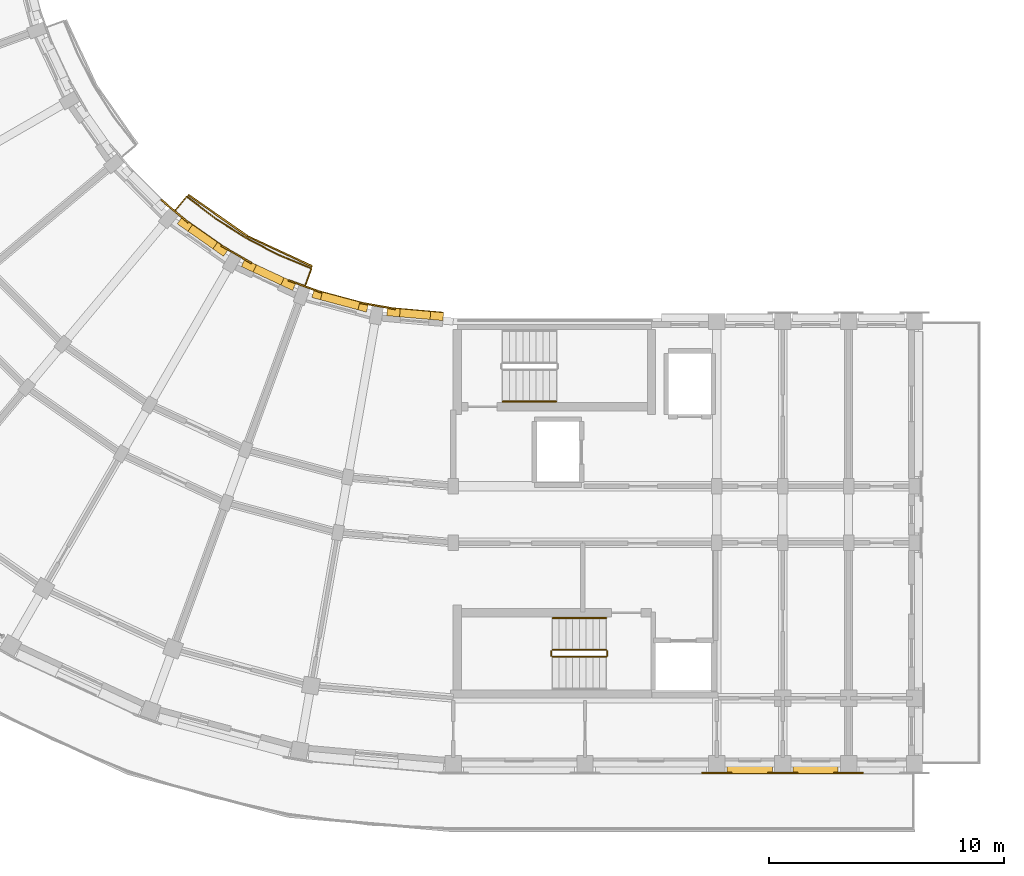
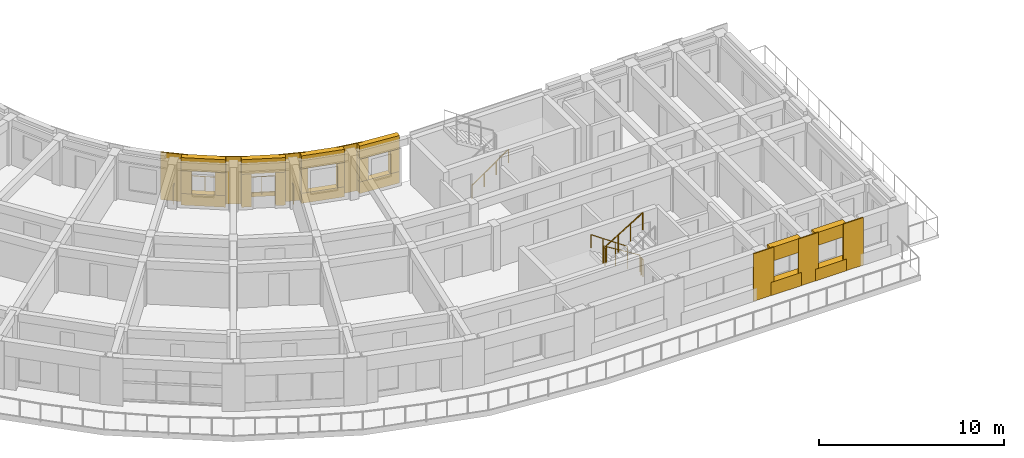
# One storey, part 39 of 54: 27 coverings, 7 railings.
"""IFC4 building model written with IfcOpenShell, lengths in metres."""

from ifc_helpers import new_model, si_unit, direction, frame, origin, origin_2d, place, context, subcontext, project, spatial, polyline, circle, outline, extrude, material, layer, layer_set, type_object, element, save


model = new_model("IFC4")

# Units and contexts
model_context = context("Model", 3, precision=1e-05, world=origin(), true_north=direction((0.0, 1.0)))
body_context = subcontext(model_context, "Body", "Model", "MODEL_VIEW")
ifc_project = project(units=[si_unit("LENGTHUNIT", "METRE"), si_unit("AREAUNIT", "SQUARE_METRE"), si_unit("VOLUMEUNIT", "CUBIC_METRE"), si_unit("PLANEANGLEUNIT", "RADIAN"), si_unit("MASSUNIT", "GRAM", prefix="KILO")], contexts=[model_context])

# Site, building, storey
site_placement = place(None, origin())
site = spatial("IfcSite", under=ifc_project, at=site_placement, CompositionType="ELEMENT")
building_placement = place(site_placement, origin())
building = spatial("IfcBuilding", under=site, at=building_placement, Name="Kiranvali Square Residences", CompositionType="ELEMENT")
storey_placement = place(building_placement, frame((0.0, 0.0, 27.60009765625)))
storey = spatial("IfcBuildingStorey", under=building, at=storey_placement, Name="L08", CompositionType="ELEMENT", Elevation=27.60009765625)

# Coverings
ifc_material_1 = material(Name="Carved Porbandar limestone classical entablature and cornice", Category="masonry")
ifc_layer_1 = layer(ifc_material_1, 0.06201171875)
ifc_layer_set_1 = layer_set([ifc_layer_1], Name="Carved Porbandar limestone classical entablature and cornice")
covering_type_1 = type_object("IfcCoveringType", Name="COV-CLAD-GBAL", PredefinedType="CLADDING", material=ifc_layer_set_1)
covering_1_placement = place(storey_placement, frame((0.0, 0.0, -0.22021484375)))
element("IfcCovering", 1, at=covering_1_placement, inside=storey, type_object=covering_type_1, Name="Block C L08 garden balcony limestone fascia 1", PredefinedType="CLADDING", context=body_context, shape_type="SweptSolid", body=[
    extrude(outline(polyline([(42.221435546875, 31.774169921875), (39.4599609375, 33.061767578125), (36.964111328125, 34.8095703125), (36.92041015625, 34.757568359375), (39.426025390625, 33.0029296875), (42.1982421875, 31.710205078125), (42.221435546875, 31.774169921875)])), origin(), (0.0, 0.0, 1.0), 0.27001953125),
])
ifc_material_2 = material(Name="Honed Porbandar limestone ashlar facade cladding", Category="masonry")
ifc_layer_2 = layer(ifc_material_2, 0.3798828125)
ifc_layer_set_2 = layer_set([ifc_layer_2], Name="Honed Porbandar limestone ashlar facade cladding")
covering_type_2 = type_object("IfcCoveringType", Name="COV-CLAD-JAMB", PredefinedType="CLADDING", material=ifc_layer_set_2)
covering_2_placement = place(storey_placement, frame((0.0, 0.0, 0.77197265625)))
element("IfcCovering", 2, at=covering_2_placement, inside=storey, type_object=covering_type_2, Name="L08 deep limestone window jamb reveal C-L08-GDN-00.L", PredefinedType="CLADDING", context=body_context, shape_type="SweptSolid", body=[
    extrude(outline(polyline([(47.791259765625, 29.777099609375), (47.244873046875, 29.824951171875), (47.21533203125, 29.486572265625), (47.76171875, 29.43896484375), (47.791259765625, 29.777099609375)])), origin(), (0.0, 0.0, 1.0), 1.5),
])
covering_3_placement = place(storey_placement, frame((0.0, 0.0, 0.77197265625)))
element("IfcCovering", 3, at=covering_3_placement, inside=storey, type_object=covering_type_2, Name="L08 deep limestone window jamb reveal C-L08-GDN-00.R", PredefinedType="CLADDING", context=body_context, shape_type="SweptSolid", body=[
    extrude(outline(polyline([(45.94970703125, 29.938232421875), (45.4033203125, 29.986083984375), (45.373779296875, 29.647705078125), (45.920166015625, 29.599853515625), (45.94970703125, 29.938232421875)])), origin(), (0.0, 0.0, 1.0), 1.5),
])
covering_4_placement = place(storey_placement, frame((0.0, 0.0, 0.671875)))
element("IfcCovering", 4, at=covering_4_placement, inside=storey, type_object=covering_type_2, Name="L08 deep limestone window jamb reveal C-L08-GDN-01.L", PredefinedType="CLADDING", context=body_context, shape_type="SweptSolid", body=[
    extrude(outline(polyline([(44.598388671875, 30.1279296875), (44.237548828125, 30.224609375), (44.149658203125, 29.896728515625), (44.510498046875, 29.800048828125), (44.598388671875, 30.1279296875)])), origin(), (0.0, 0.0, 1.0), 1.60009765625),
])
covering_5_placement = place(storey_placement, frame((0.0, 0.0, 0.671875)))
element("IfcCovering", 5, at=covering_5_placement, inside=storey, type_object=covering_type_2, Name="L08 deep limestone window jamb reveal C-L08-GDN-01.R", PredefinedType="CLADDING", context=body_context, shape_type="SweptSolid", body=[
    extrude(outline(polyline([(42.643798828125, 30.651611328125), (42.282958984375, 30.748291015625), (42.195068359375, 30.42041015625), (42.555908203125, 30.32373046875), (42.643798828125, 30.651611328125)])), origin(), (0.0, 0.0, 1.0), 1.60009765625),
])
covering_6_placement = place(storey_placement, origin())
element("IfcCovering", 6, at=covering_6_placement, inside=storey, type_object=covering_type_2, Name="L08 deep limestone window jamb reveal C-L08-GDN-02.L", PredefinedType="CLADDING", context=body_context, shape_type="SweptSolid", body=[
    extrude(outline(polyline([(41.514892578125, 31.02783203125), (41.017822265625, 31.259765625), (40.874267578125, 30.951904296875), (41.37158203125, 30.72021484375), (41.514892578125, 31.02783203125)])), origin(), (0.0, 0.0, 1.0), 2.179931640625),
])
covering_7_placement = place(storey_placement, origin())
element("IfcCovering", 7, at=covering_7_placement, inside=storey, type_object=covering_type_2, Name="L08 deep limestone window jamb reveal C-L08-GDN-02.R", PredefinedType="CLADDING", context=body_context, shape_type="SweptSolid", body=[
    extrude(outline(polyline([(39.839599609375, 31.80908203125), (39.342529296875, 32.041015625), (39.198974609375, 31.733154296875), (39.696044921875, 31.50146484375), (39.839599609375, 31.80908203125)])), origin(), (0.0, 0.0, 1.0), 2.179931640625),
])
covering_8_placement = place(storey_placement, frame((0.0, 0.0, 0.77197265625)))
element("IfcCovering", 8, at=covering_8_placement, inside=storey, type_object=covering_type_2, Name="L08 deep limestone window jamb reveal C-L08-GDN-03.L", PredefinedType="CLADDING", context=body_context, shape_type="SweptSolid", body=[
    extrude(outline(polyline([(38.634521484375, 32.44970703125), (38.185302734375, 32.76416015625), (37.990478515625, 32.486083984375), (38.43994140625, 32.171630859375), (38.634521484375, 32.44970703125)])), origin(), (0.0, 0.0, 1.0), 1.5),
])
covering_9_placement = place(storey_placement, frame((0.0, 0.0, 0.77197265625)))
element("IfcCovering", 9, at=covering_9_placement, inside=storey, type_object=covering_type_2, Name="L08 deep limestone window jamb reveal C-L08-GDN-03.R", PredefinedType="CLADDING", context=body_context, shape_type="SweptSolid", body=[
    extrude(outline(polyline([(37.120361328125, 33.509765625), (36.671142578125, 33.824462890625), (36.476318359375, 33.54638671875), (36.925537109375, 33.231689453125), (37.120361328125, 33.509765625)])), origin(), (0.0, 0.0, 1.0), 1.5),
])
ifc_layer_3 = layer(ifc_material_2, 0.050048828125)
ifc_layer_set_3 = layer_set([ifc_layer_3], Name="Honed Porbandar limestone ashlar facade cladding")
covering_type_3 = type_object("IfcCoveringType", Name="COV-CLAD-PIER-IN", PredefinedType="CLADDING", material=ifc_layer_set_3)
covering_10_placement = place(storey_placement, frame((0.0, 0.0, 0.0048828125)))
element("IfcCovering", 10, at=covering_10_placement, inside=storey, type_object=covering_type_3, Name="L08 Classical garden courtyard pilaster CLAD-PRIN-C-L08-A01", PredefinedType="CLADDING", context=body_context, shape_type="SweptSolid", body=[
    extrude(outline(polyline([(45.74658203125, 29.967041015625), (44.269287109375, 30.2275390625), (44.257568359375, 30.1611328125), (45.73486328125, 29.900634765625), (45.74658203125, 29.967041015625)])), origin(), (0.0, 0.0, 1.0), 3.14013671875),
])
covering_11_placement = place(storey_placement, frame((0.0, 0.0, 0.0048828125)))
element("IfcCovering", 11, at=covering_11_placement, inside=storey, type_object=covering_type_3, Name="L08 Classical garden courtyard pilaster CLAD-PRIN-C-L08-A02", PredefinedType="CLADDING", context=body_context, shape_type="SweptSolid", body=[
    extrude(outline(polyline([(42.61767578125, 30.670166015625), (41.208251953125, 31.18310546875), (41.18505859375, 31.11962890625), (42.5947265625, 30.606689453125), (42.61767578125, 30.670166015625)])), origin(), (0.0, 0.0, 1.0), 3.14013671875),
])
covering_12_placement = place(storey_placement, frame((0.0, 0.0, 0.0048828125)))
element("IfcCovering", 12, at=covering_12_placement, inside=storey, type_object=covering_type_3, Name="L08 Classical garden courtyard pilaster CLAD-PRIN-C-L08-A03", PredefinedType="CLADDING", context=body_context, shape_type="SweptSolid", body=[
    extrude(outline(polyline([(39.658447265625, 31.90576171875), (38.359375, 32.65576171875), (38.32568359375, 32.59716796875), (39.624755859375, 31.84716796875), (39.658447265625, 31.90576171875)])), origin(), (0.0, 0.0, 1.0), 3.14013671875),
])
covering_13_placement = place(storey_placement, frame((0.0, 0.0, 0.0048828125)))
element("IfcCovering", 13, at=covering_13_placement, inside=storey, type_object=covering_type_3, Name="L08 Classical garden courtyard pilaster CLAD-PRIN-C-L08-A04", PredefinedType="CLADDING", context=body_context, shape_type="SweptSolid", body=[
    extrude(outline(polyline([(36.958740234375, 33.636474609375), (35.809814453125, 34.6005859375), (35.766357421875, 34.548828125), (36.91552734375, 33.584716796875), (36.958740234375, 33.636474609375)])), origin(), (0.0, 0.0, 1.0), 3.14013671875),
])
ifc_layer_4 = layer(ifc_material_2, 0.054931640625)
ifc_layer_set_4 = layer_set([ifc_layer_4], Name="Honed Porbandar limestone ashlar facade cladding")
covering_type_4 = type_object("IfcCoveringType", Name="COV-CLAD-PIER-UP", PredefinedType="CLADDING", material=ifc_layer_set_4)
covering_14_placement = place(storey_placement, frame((0.0, 0.0, 0.0048828125)))
element("IfcCovering", 14, at=covering_14_placement, inside=storey, type_object=covering_type_4, Name="L08 Classical limestone pilaster casing CLAD-PR-C-L08-U112", PredefinedType="CLADDING", context=body_context, shape_type="SweptSolid", body=[
    extrude(outline(polyline([(58.77001953125, 10.181884765625), (60.030029296875, 10.181884765625), (60.030029296875, 10.24951171875), (58.77001953125, 10.24951171875), (58.77001953125, 10.181884765625)])), origin(), (0.0, 0.0, 1.0), 3.14013671875),
])
covering_15_placement = place(storey_placement, frame((0.0, 0.0, 0.0048828125)))
element("IfcCovering", 15, at=covering_15_placement, inside=storey, type_object=covering_type_4, Name="L08 Classical limestone pilaster casing CLAD-PR-C-L08-U140", PredefinedType="CLADDING", context=body_context, shape_type="SweptSolid", body=[
    extrude(outline(polyline([(61.570068359375, 10.181884765625), (62.830078125, 10.181884765625), (62.830078125, 10.24951171875), (61.570068359375, 10.24951171875), (61.570068359375, 10.181884765625)])), origin(), (0.0, 0.0, 1.0), 3.14013671875),
])
covering_16_placement = place(storey_placement, frame((0.0, 0.0, 0.0048828125)))
element("IfcCovering", 16, at=covering_16_placement, inside=storey, type_object=covering_type_4, Name="L08 Classical limestone pilaster casing CLAD-PR-C-L08-U167", PredefinedType="CLADDING", context=body_context, shape_type="SweptSolid", body=[
    extrude(outline(polyline([(64.3701171875, 10.181884765625), (65.6298828125, 10.181884765625), (65.6298828125, 10.24951171875), (64.3701171875, 10.24951171875), (64.3701171875, 10.181884765625)])), origin(), (0.0, 0.0, 1.0), 3.14013671875),
])
ifc_layer_5 = layer(ifc_material_2, 0.360107421875)
ifc_layer_set_5 = layer_set([ifc_layer_5], Name="Honed Porbandar limestone ashlar facade cladding")
covering_type_5 = type_object("IfcCoveringType", Name="COV-CLAD-WALL", PredefinedType="CLADDING", material=ifc_layer_set_5)
covering_17_placement = place(storey_placement, frame((0.0, 0.0, 2.27197265625)))
element("IfcCovering", 17, at=covering_17_placement, inside=storey, type_object=covering_type_5, Name="L08 light limestone spandrel lintel C-L08-GDN-00", PredefinedType="CLADDING", context=body_context, shape_type="SweptSolid", body=[
    extrude(outline(polyline([(47.791259765625, 29.777099609375), (45.4033203125, 29.986083984375), (45.373779296875, 29.647705078125), (47.76171875, 29.43896484375), (47.791259765625, 29.777099609375)])), origin(), (0.0, 0.0, 1.0), 0.873046875),
])
covering_18_placement = place(storey_placement, frame((0.0, 0.0, 2.27197265625)))
element("IfcCovering", 18, at=covering_18_placement, inside=storey, type_object=covering_type_5, Name="L08 light limestone spandrel lintel C-L08-GDN-01", PredefinedType="CLADDING", context=body_context, shape_type="SweptSolid", body=[
    extrude(outline(polyline([(44.598388671875, 30.1279296875), (42.282958984375, 30.748291015625), (42.195068359375, 30.42041015625), (44.510498046875, 29.800048828125), (44.598388671875, 30.1279296875)])), origin(), (0.0, 0.0, 1.0), 0.873046875),
])
covering_19_placement = place(storey_placement, frame((0.0, 0.0, 2.179931640625)))
element("IfcCovering", 19, at=covering_19_placement, inside=storey, type_object=covering_type_5, Name="L08 light limestone spandrel lintel C-L08-GDN-02", PredefinedType="CLADDING", context=body_context, shape_type="SweptSolid", body=[
    extrude(outline(polyline([(41.514892578125, 31.02783203125), (39.342529296875, 32.041015625), (39.198974609375, 31.733154296875), (41.37158203125, 30.72021484375), (41.514892578125, 31.02783203125)])), origin(), (0.0, 0.0, 1.0), 0.965087890625),
])
covering_20_placement = place(storey_placement, frame((0.0, 0.0, 2.27197265625)))
element("IfcCovering", 20, at=covering_20_placement, inside=storey, type_object=covering_type_5, Name="L08 light limestone spandrel lintel C-L08-GDN-03", PredefinedType="CLADDING", context=body_context, shape_type="SweptSolid", body=[
    extrude(outline(polyline([(38.634521484375, 32.44970703125), (36.671142578125, 33.824462890625), (36.476318359375, 33.54638671875), (38.43994140625, 32.171630859375), (38.634521484375, 32.44970703125)])), origin(), (0.0, 0.0, 1.0), 0.873046875),
])
covering_21_placement = place(storey_placement, frame((0.0, 0.0, 2.22998046875)))
element("IfcCovering", 21, at=covering_21_placement, inside=storey, type_object=covering_type_5, Name="L08 light limestone spandrel lintel C-L08-A1O-2", PredefinedType="CLADDING", context=body_context, shape_type="SweptSolid", body=[
    extrude(outline(polyline([(59.840087890625, 10.199951171875), (61.760009765625, 10.199951171875), (61.760009765625, 10.599609375), (59.840087890625, 10.599609375), (59.840087890625, 10.199951171875)])), origin(), (0.0, 0.0, 1.0), 0.9150390625),
])
covering_22_placement = place(storey_placement, frame((0.0, 0.0, 0.0048828125)))
element("IfcCovering", 22, at=covering_22_placement, inside=storey, type_object=covering_type_5, Name="L08 limestone window sill apron C-L08-A1O-2", PredefinedType="CLADDING", context=body_context, shape_type="SweptSolid", body=[
    extrude(outline(polyline([(59.840087890625, 10.169921875), (61.760009765625, 10.169921875), (61.760009765625, 10.599609375), (59.840087890625, 10.599609375), (59.840087890625, 10.169921875)])), origin(), (0.0, 0.0, 1.0), 0.875),
])
covering_23_placement = place(storey_placement, frame((0.0, 0.0, 2.27978515625)))
element("IfcCovering", 23, at=covering_23_placement, inside=storey, type_object=covering_type_5, Name="L08 light limestone spandrel lintel C-L08-A1O-3", PredefinedType="CLADDING", context=body_context, shape_type="SweptSolid", body=[
    extrude(outline(polyline([(62.639892578125, 10.199951171875), (64.56005859375, 10.199951171875), (64.56005859375, 10.599609375), (62.639892578125, 10.599609375), (62.639892578125, 10.199951171875)])), origin(), (0.0, 0.0, 1.0), 0.865234375),
])
covering_24_placement = place(storey_placement, frame((0.0, 0.0, 0.0048828125)))
element("IfcCovering", 24, at=covering_24_placement, inside=storey, type_object=covering_type_5, Name="L08 limestone window sill apron C-L08-A1O-3", PredefinedType="CLADDING", context=body_context, shape_type="SweptSolid", body=[
    extrude(outline(polyline([(62.639892578125, 10.169921875), (64.56005859375, 10.169921875), (64.56005859375, 10.599609375), (62.639892578125, 10.599609375), (62.639892578125, 10.169921875)])), origin(), (0.0, 0.0, 1.0), 0.77490234375),
])
ifc_layer_6 = layer(ifc_material_2, 0.2900390625)
ifc_layer_set_6 = layer_set([ifc_layer_6], Name="Honed Porbandar limestone ashlar facade cladding")
covering_type_6 = type_object("IfcCoveringType", Name="COV-CLAD-WALL-IN", PredefinedType="CLADDING", material=ifc_layer_set_6)
covering_25_placement = place(storey_placement, frame((0.0, 0.0, 0.0048828125)))
element("IfcCovering", 25, at=covering_25_placement, inside=storey, type_object=covering_type_6, Name="L08 limestone window sill apron C-L08-GDN-00", PredefinedType="CLADDING", context=body_context, shape_type="SweptSolid", body=[
    extrude(outline(polyline([(47.7939453125, 29.806884765625), (45.406005859375, 30.015869140625), (45.373779296875, 29.647705078125), (47.76171875, 29.43896484375), (47.7939453125, 29.806884765625)])), origin(), (0.0, 0.0, 1.0), 0.76708984375),
])
covering_26_placement = place(storey_placement, frame((0.0, 0.0, 0.0048828125)))
element("IfcCovering", 26, at=covering_26_placement, inside=storey, type_object=covering_type_6, Name="L08 limestone window sill apron C-L08-GDN-01", PredefinedType="CLADDING", context=body_context, shape_type="SweptSolid", body=[
    extrude(outline(polyline([(44.606201171875, 30.156982421875), (42.290771484375, 30.77734375), (42.195068359375, 30.42041015625), (44.510498046875, 29.800048828125), (44.606201171875, 30.156982421875)])), origin(), (0.0, 0.0, 1.0), 0.6669921875),
])
covering_27_placement = place(storey_placement, frame((0.0, 0.0, 0.0048828125)))
element("IfcCovering", 27, at=covering_27_placement, inside=storey, type_object=covering_type_6, Name="L08 limestone window sill apron C-L08-GDN-03", PredefinedType="CLADDING", context=body_context, shape_type="SweptSolid", body=[
    extrude(outline(polyline([(38.65185546875, 32.47412109375), (36.688232421875, 33.84912109375), (36.476318359375, 33.54638671875), (38.43994140625, 32.171630859375), (38.65185546875, 32.47412109375)])), origin(), (0.0, 0.0, 1.0), 0.76708984375),
])

# Railings
ifc_material_3 = material(Name="Powder-coated architectural bronze balustrade", Category="steel")
railing_type_1 = type_object("IfcRailingType", Name="RL-BAL-GOLD-1200", PredefinedType="BALUSTRADE", material=ifc_material_3)
railing_1_placement = place(storey_placement, frame((41.78369140625, 30.5712890625, 0.0)))
element("IfcRailing", 28, at=railing_1_placement, inside=storey, type_object=railing_type_1, Name="Block C L08 garden balcony gold balustrade 1", PredefinedType="BALUSTRADE", context=body_context, shape_type="SweptSolid", body=[
    extrude(circle(Radius=0.02392578125, at=origin_2d()), frame((0.0, 0.0, 1.17578125), z_axis=(0.341964618562, 0.939712828289, 0.0), x_axis=(-0.939712828289, 0.341964618562, 0.0)), (0.0, 0.0, 1.0), 1.150146484375),
    extrude(circle(Radius=0.02392578125, at=origin_2d()), frame((0.393310546875, 1.080810546875, 1.17578125), z_axis=(-0.923892883829, 0.382651197843, 0.0), x_axis=(-0.382651197843, -0.923892883829, 0.0)), (0.0, 0.0, 1.0), 1.536376953125),
    extrude(circle(Radius=0.02392578125, at=origin_2d()), frame((-1.026123046875, 1.668701171875, 1.17578125), z_axis=(-0.887029366154, 0.461713009976, 0.0), x_axis=(-0.461713009976, -0.887029366154, 0.0)), (0.0, 0.0, 1.0), 1.5361328125),
    extrude(circle(Radius=0.02392578125, at=origin_2d()), frame((-2.388671875, 2.3779296875, 1.17578125), z_axis=(-0.843386539688, 0.537307309343, 0.0), x_axis=(-0.537307309343, -0.843386539688, 0.0)), (0.0, 0.0, 1.0), 1.5361328125),
    extrude(circle(Radius=0.02392578125, at=origin_2d()), frame((-3.684326171875, 3.203369140625, 1.17578125), z_axis=(-0.793314680996, 0.608811807471, 0.0), x_axis=(-0.608811807471, -0.793314680996, 0.0)), (0.0, 0.0, 1.0), 1.536376953125),
    extrude(circle(Radius=0.02392578125, at=origin_2d()), frame((-4.903076171875, 4.138671875, 1.17578125), z_axis=(-0.642853454051, -0.765989188314, 0.0), x_axis=(0.765989188314, -0.642853454051, 0.0)), (0.0, 0.0, 1.0), 1.14990234375),
    extrude(circle(Radius=0.02099609375, at=origin_2d()), origin(), (0.0, 0.0, 1.0), 1.15185546875),
    extrude(circle(Radius=0.02099609375, at=origin_2d()), frame((0.393310546875, 1.080810546875, 0.0)), (0.0, 0.0, 1.0), 1.15185546875),
    extrude(circle(Radius=0.02099609375, at=origin_2d()), frame((-0.31640625, 1.374755859375, 0.0)), (0.0, 0.0, 1.0), 1.15185546875),
    extrude(circle(Radius=0.02099609375, at=origin_2d()), frame((-1.026123046875, 1.668701171875, 0.0)), (0.0, 0.0, 1.0), 1.15185546875),
    extrude(circle(Radius=0.02099609375, at=origin_2d()), frame((-1.70751953125, 2.0234375, 0.0)), (0.0, 0.0, 1.0), 1.15185546875),
    extrude(circle(Radius=0.02099609375, at=origin_2d()), frame((-2.388671875, 2.3779296875, 0.0)), (0.0, 0.0, 1.0), 1.15185546875),
    extrude(circle(Radius=0.02099609375, at=origin_2d()), frame((-3.03662109375, 2.79052734375, 0.0)), (0.0, 0.0, 1.0), 1.15185546875),
    extrude(circle(Radius=0.02099609375, at=origin_2d()), frame((-3.684326171875, 3.203369140625, 0.0)), (0.0, 0.0, 1.0), 1.15185546875),
    extrude(circle(Radius=0.02099609375, at=origin_2d()), frame((-4.293701171875, 3.6708984375, 0.0)), (0.0, 0.0, 1.0), 1.15185546875),
    extrude(circle(Radius=0.02099609375, at=origin_2d()), frame((-4.903076171875, 4.138671875, 0.0)), (0.0, 0.0, 1.0), 1.15185546875),
    extrude(circle(Radius=0.02099609375, at=origin_2d()), frame((-5.642333984375, 3.2578125, 0.0)), (0.0, 0.0, 1.0), 1.15185546875),
])
ifc_material_4 = material(Name="Brushed stainless steel tubular handrail", Category="steel")
railing_type_2 = type_object("IfcRailingType", Name="RL-HANDRAIL-900", PredefinedType="HANDRAIL", material=ifc_material_4)
railing_2_placement = place(storey_placement, frame((54.699951171875, 16.800048828125, 0.1748046875)))
element("IfcRailing", 29, at=railing_2_placement, inside=storey, type_object=railing_type_2, Name="L08 ST-C1 stair handrail 1", PredefinedType="HANDRAIL", context=body_context, shape_type="SweptSolid", body=[
    extrude(circle(Radius=0.02392578125, at=origin_2d()), frame((0.0, 0.0, 0.8759765625), z_axis=(-0.82274681792, 0.0, 0.568408016835), x_axis=(0.0, -1.0, 0.0)), (0.0, 0.0, 1.0), 2.771240234375),
    extrude(circle(Radius=0.02099609375, at=origin_2d()), origin(), (0.0, 0.0, 1.0), 0.851806640625),
    extrude(circle(Radius=0.02099609375, at=origin_2d()), frame((-0.760009765625, 0.0, 0.525146484375)), (0.0, 0.0, 1.0), 0.851806640625),
    extrude(circle(Radius=0.02099609375, at=origin_2d()), frame((-1.52001953125, 0.0, 1.050048828125)), (0.0, 0.0, 1.0), 0.851806640625),
    extrude(circle(Radius=0.02099609375, at=origin_2d()), frame((-2.280029296875, 0.0, 1.5751953125)), (0.0, 0.0, 1.0), 0.851806640625),
])
railing_3_placement = place(storey_placement, frame((50.300048828125, 26.0, 0.1748046875)))
element("IfcRailing", 30, at=railing_3_placement, inside=storey, type_object=railing_type_2, Name="L08 ST-C2 stair handrail 1", PredefinedType="HANDRAIL", context=body_context, shape_type="SweptSolid", body=[
    extrude(circle(Radius=0.02392578125, at=origin_2d()), frame((0.0, 0.0, 0.8759765625), z_axis=(0.82274681792, 0.0, 0.568408016835), x_axis=(0.0, 1.0, 0.0)), (0.0, 0.0, 1.0), 2.771240234375),
    extrude(circle(Radius=0.02099609375, at=origin_2d()), origin(), (0.0, 0.0, 1.0), 0.851806640625),
    extrude(circle(Radius=0.02099609375, at=origin_2d()), frame((0.760009765625, 0.0, 0.525146484375)), (0.0, 0.0, 1.0), 0.851806640625),
    extrude(circle(Radius=0.02099609375, at=origin_2d()), frame((1.52001953125, 0.0, 1.050048828125)), (0.0, 0.0, 1.0), 0.851806640625),
    extrude(circle(Radius=0.02099609375, at=origin_2d()), frame((2.280029296875, 0.0, 1.5751953125)), (0.0, 0.0, 1.0), 0.851806640625),
])
railing_type_3 = type_object("IfcRailingType", Name="RL-ST-GUARD-1200", PredefinedType="GUARDRAIL", material=ifc_material_3)
railing_4_placement = place(storey_placement, frame((54.699951171875, 15.449951171875, 0.1748046875)))
element("IfcRailing", 31, at=railing_4_placement, inside=storey, type_object=railing_type_3, Name="L08 ST-C1 stair guard 1", PredefinedType="GUARDRAIL", context=body_context, shape_type="SweptSolid", body=[
    extrude(circle(Radius=0.02392578125, at=origin_2d()), frame((0.0, 0.0, 1.1259765625), z_axis=(-0.852149810458, 0.0, 0.523297908018), x_axis=(0.0, -1.0, 0.0)), (0.0, 0.0, 1.0), 2.675537109375),
    extrude(circle(Radius=0.02099609375, at=origin_2d()), origin(), (0.0, 0.0, 1.0), 1.101806640625),
    extrude(circle(Radius=0.02099609375, at=origin_2d()), frame((-0.760009765625, 0.0, 0.466796875)), (0.0, 0.0, 1.0), 1.101806640625),
    extrude(circle(Radius=0.02099609375, at=origin_2d()), frame((-1.52001953125, 0.0, 0.933349609375)), (0.0, 0.0, 1.0), 1.101806640625),
    extrude(circle(Radius=0.02099609375, at=origin_2d()), frame((-2.280029296875, 0.0, 1.400146484375)), (0.0, 0.0, 1.0), 1.101806640625),
])
railing_5_placement = place(storey_placement, frame((52.3701171875, 15.39990234375, 1.574951171875)))
element("IfcRailing", 32, at=railing_5_placement, inside=storey, type_object=railing_type_3, Name="L08 ST-C1 stair guard 2", PredefinedType="GUARDRAIL", context=body_context, shape_type="SweptSolid", body=[
    extrude(circle(Radius=0.02392578125, at=origin_2d()), frame((0.0, 0.0, 1.1259765625), z_axis=(0.0, -1.0, 0.0), x_axis=(1.0, 0.0, 0.0)), (0.0, 0.0, 1.0), 0.199951171875),
    extrude(circle(Radius=0.02099609375, at=origin_2d()), origin(), (0.0, 0.0, 1.0), 1.101806640625),
    extrude(circle(Radius=0.02099609375, at=origin_2d()), frame((0.0, -0.199951171875, 0.0)), (0.0, 0.0, 1.0), 1.101806640625),
])
railing_6_placement = place(storey_placement, frame((52.419921875, 15.14990234375, 1.75)))
element("IfcRailing", 33, at=railing_6_placement, inside=storey, type_object=railing_type_3, Name="L08 ST-C1 stair guard 3", PredefinedType="GUARDRAIL", context=body_context, shape_type="SweptSolid", body=[
    extrude(circle(Radius=0.02392578125, at=origin_2d()), frame((0.0, 0.0, 1.1259765625), z_axis=(0.852190499154, 0.0, 0.523231643875), x_axis=(0.0, 1.0, 0.0)), (0.0, 0.0, 1.0), 2.675537109375),
    extrude(circle(Radius=0.02099609375, at=origin_2d()), origin(), (0.0, 0.0, 1.0), 1.101806640625),
    extrude(circle(Radius=0.02099609375, at=origin_2d()), frame((0.760009765625, 0.0, 0.466552734375)), (0.0, 0.0, 1.0), 1.101806640625),
    extrude(circle(Radius=0.02099609375, at=origin_2d()), frame((1.52001953125, 0.0, 0.933349609375)), (0.0, 0.0, 1.0), 1.101806640625),
    extrude(circle(Radius=0.02099609375, at=origin_2d()), frame((2.280029296875, 0.0, 1.39990234375)), (0.0, 0.0, 1.0), 1.101806640625),
])
railing_7_placement = place(storey_placement, frame((54.75, 15.39990234375, 0.0)))
element("IfcRailing", 34, at=railing_7_placement, inside=storey, type_object=railing_type_3, Name="L08 ST-C1 stair guard 4", PredefinedType="GUARDRAIL", context=body_context, shape_type="SweptSolid", body=[
    extrude(circle(Radius=0.02392578125, at=origin_2d()), frame((0.0, 0.0, 1.1259765625), z_axis=(0.0, -1.0, 0.0), x_axis=(1.0, 0.0, 0.0)), (0.0, 0.0, 1.0), 0.199951171875),
    extrude(circle(Radius=0.02099609375, at=origin_2d()), origin(), (0.0, 0.0, 1.0), 1.101806640625),
    extrude(circle(Radius=0.02099609375, at=origin_2d()), frame((0.0, -0.199951171875, 0.0)), (0.0, 0.0, 1.0), 1.101806640625),
])

save(model, "model.ifc")
